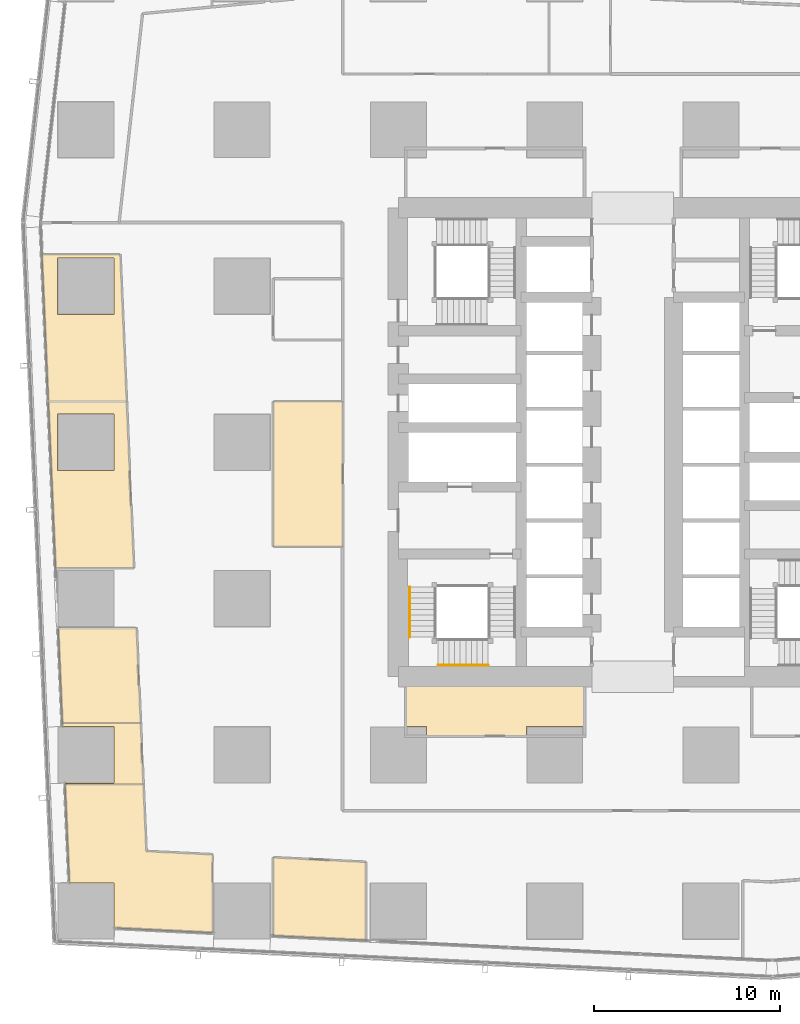
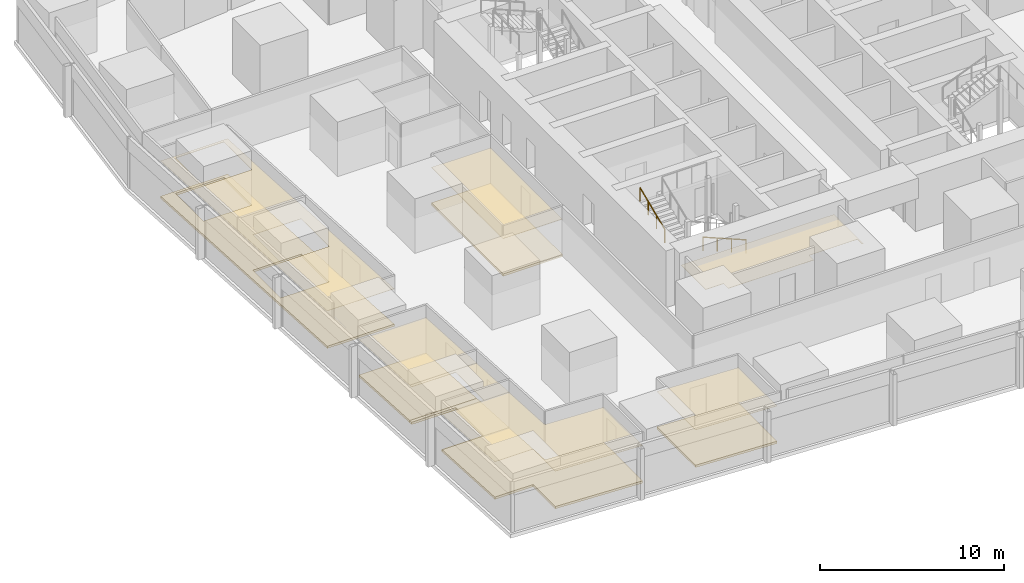
# One storey, part 36 of 44: 13 coverings, 2 railings.
"""IFC4 building model written with IfcOpenShell, lengths in metres."""

import ifcopenshell
import ifcopenshell.guid

model = None  # the IFC model being written
_history = None  # IfcOwnerHistory: only IFC2X3 demands one
_inside = {}  # id of a spatial element -> (the spatial element, [elements in it])
_under = {}  # id of a project, library or spatial element -> (it, [spatial elements below it])
_declared = {}  # id of a project -> (the project, [libraries it declares])
_typed = {}  # id of a type object -> (the type object, [elements of that type])
_made_of = {}  # id of a material, layer set ... -> (it, [elements and type objects made of it])


def new_model(schema):
    """Start an empty IFC model of exactly this schema.

    Asked for "IFC4X3", IfcOpenShell would pick the latest addendum, in which some entities
    have other attributes; the version numbers below select the first issue.
    IFC2X3 requires an IfcOwnerHistory on every rooted entity: one is made here for all.
    """
    global model, _history
    if schema == "IFC4X3":
        model = ifcopenshell.file(schema_version=(4, 3, 0, 0))
    else:
        model = ifcopenshell.file(schema=schema)
    _inside.clear()
    _under.clear()
    _declared.clear()
    _typed.clear()
    _made_of.clear()
    _history = None
    if model.schema == "IFC2X3":
        org = make("IfcOrganization", Name="unknown")
        user = make(
            "IfcPersonAndOrganization",
            ThePerson=make("IfcPerson", FamilyName="unknown"),
            TheOrganization=org,
        )
        app = make(
            "IfcApplication",
            ApplicationDeveloper=org,
            Version="unknown",
            ApplicationFullName="unknown",
            ApplicationIdentifier="unknown",
        )
        _history = make(
            "IfcOwnerHistory",
            OwningUser=user,
            OwningApplication=app,
            ChangeAction="ADDED",
            CreationDate=0,
        )
    return model


def make(cls, **values):
    """One entity of the class cls with the attributes given. An attribute that is None is left unset."""
    return model.create_entity(
        cls, **{name: value for name, value in values.items() if value is not None}
    )


def rooted(cls, **values):
    """An entity with a GlobalId (a new one), such as an element, a storey or a relation."""
    return make(cls, GlobalId=ifcopenshell.guid.new(), OwnerHistory=_history, **values)


def si_unit(unit_type, name, prefix=None):
    """IfcSIUnit, for example si_unit("LENGTHUNIT", "METRE", prefix="MILLI")."""
    return make("IfcSIUnit", UnitType=unit_type, Prefix=prefix, Name=name)


def assignment(units):
    """IfcUnitAssignment: the units of a project."""
    return None if units is None else make("IfcUnitAssignment", Units=units)


def point(xyz):
    """IfcCartesianPoint."""
    return None if xyz is None else make("IfcCartesianPoint", Coordinates=xyz)


def direction(xyz):
    """IfcDirection."""
    return None if xyz is None else make("IfcDirection", DirectionRatios=xyz)


def frame(location, z_axis=None, x_axis=None):
    """IfcAxis2Placement3D, a coordinate frame: its origin and axes. An axis left out is left unset."""
    return make(
        "IfcAxis2Placement3D",
        Location=point(location),
        Axis=direction(z_axis),
        RefDirection=direction(x_axis),
    )


def frame_2d(location, x_axis=None):
    """IfcAxis2Placement2D, a coordinate frame in the plane: its origin and x axis."""
    return make(
        "IfcAxis2Placement2D", Location=point(location), RefDirection=direction(x_axis)
    )


def origin():
    """The frame at (0, 0, 0) with its axes left unset."""
    return frame((0.0, 0.0, 0.0))


def origin_2d():
    """The frame at (0, 0) in the plane with its x axis left unset."""
    return frame_2d((0.0, 0.0))


def place(relative_to, where):
    """IfcLocalPlacement: puts the frame where relative to a parent placement (None: the world)."""
    return make(
        "IfcLocalPlacement", PlacementRelTo=relative_to, RelativePlacement=where
    )


def context(
    kind, dimensions, precision=None, world=None, true_north=None, identifier=None
):
    """IfcGeometricRepresentationContext, for example the 3D "Model" context."""
    return make(
        "IfcGeometricRepresentationContext",
        ContextIdentifier=identifier,
        ContextType=kind,
        CoordinateSpaceDimension=dimensions,
        Precision=precision,
        WorldCoordinateSystem=world,
        TrueNorth=true_north,
    )


def subcontext(parent, identifier, kind, view, scale=None):
    """IfcGeometricRepresentationSubContext, for example "Body" below "Model"."""
    return make(
        "IfcGeometricRepresentationSubContext",
        ContextIdentifier=identifier,
        ContextType=kind,
        ParentContext=parent,
        TargetScale=scale,
        TargetView=view,
    )


def project(units=None, contexts=None):
    """IfcProject with its units and contexts."""
    return rooted(
        "IfcProject",
        Name="project",
        RepresentationContexts=contexts,
        UnitsInContext=assignment(units),
    )


def spatial(cls, under=None, at=None, **own):
    """A site, building, storey or space (cls), placed at a placement, below another one or the project."""
    s = rooted(cls, ObjectPlacement=at, **own)
    if under is not None:
        _under.setdefault(under.id(), (under, []))[1].append(s)
    return s


def polyline(points):
    """IfcPolyline through the points."""
    return make("IfcPolyline", Points=[point(p) for p in points])


def profile(cls, at=None, kind="AREA", **sizes):
    """A parametric profile (cls). Its sizes go by their IFC names, for example OverallWidth=200.0."""
    return make(cls, ProfileType=kind, Position=at, **sizes)


def circle(**sizes):
    """IfcCircleProfileDef."""
    return profile("IfcCircleProfileDef", **sizes)


def outline(outer, holes=None, kind="AREA"):
    """IfcArbitraryClosedProfileDef: a profile drawn as a closed curve; with holes, ...WithVoids."""
    if holes is None:
        return make("IfcArbitraryClosedProfileDef", ProfileType=kind, OuterCurve=outer)
    return make(
        "IfcArbitraryProfileDefWithVoids",
        ProfileType=kind,
        OuterCurve=outer,
        InnerCurves=holes,
    )


def extrude(swept, where, along, depth):
    """IfcExtrudedAreaSolid: the profile swept, set in the frame where, extruded along a direction by depth."""
    return make(
        "IfcExtrudedAreaSolid",
        SweptArea=swept,
        Position=where,
        ExtrudedDirection=direction(along),
        Depth=depth,
    )


def shape(context_of_items, identifier, shape_type, items):
    """IfcShapeRepresentation: the items that make up one representation, for example the "Body"."""
    return make(
        "IfcShapeRepresentation",
        ContextOfItems=context_of_items,
        RepresentationIdentifier=identifier,
        RepresentationType=shape_type,
        Items=items,
    )


def material(Name=None, Category=None):
    """IfcMaterial."""
    return make("IfcMaterial", Name=Name, Category=Category)


def layer(
    of_material, thickness, ventilated=None, Name=None, Category=None, Priority=None
):
    """IfcMaterialLayer: one layer of a wall or slab, of a material (None: an air gap)."""
    return make(
        "IfcMaterialLayer",
        Material=of_material,
        LayerThickness=thickness,
        IsVentilated=ventilated,
        Name=Name,
        Category=Category,
        Priority=Priority,
    )


def layer_set(layers, Name=None):
    """IfcMaterialLayerSet."""
    return make("IfcMaterialLayerSet", MaterialLayers=layers, LayerSetName=Name)


def made_of(thing, what):
    """Note that an element or type object is made of a material, layer set ...; save() writes the relation."""
    if what is not None:
        _made_of.setdefault(what.id(), (what, []))[1].append(thing)
    return thing


def type_object(cls, material=None, **own):
    """A type object (cls), such as IfcWallType, which elements share."""
    return made_of(rooted(cls, **own), material)


def element(
    cls,
    number,
    at=None,
    inside=None,
    cuts=None,
    type_object=None,
    material=None,
    context=None,
    identifier="Body",
    shape_type=None,
    held_by="IfcProductDefinitionShape",
    body=None,
    shapes=None,
    **own,
):
    """One element of the class cls, such as IfcWall. Its Tag is "e" and its number.

    at: its placement. inside: the storey or other place that contains it. cuts: it is an
    opening in that element (IfcRelVoidsElement). A single representation is given by context,
    identifier, shape_type and body (its items); several are given by shapes. held_by: the class
    of the entity that holds the representations. save() writes the other relations.
    """
    e = rooted(cls, Tag="e%d" % number, ObjectPlacement=at, **own)
    if body is not None:
        shapes = [shape(context, identifier, shape_type, body)]
    if shapes is not None:
        e.Representation = make(held_by, Representations=shapes)
    if inside is not None:
        _inside.setdefault(inside.id(), (inside, []))[1].append(e)
    if cuts is not None:
        rooted(
            "IfcRelVoidsElement", RelatingBuildingElement=cuts, RelatedOpeningElement=e
        )
    if type_object is not None:
        _typed.setdefault(type_object.id(), (type_object, []))[1].append(e)
    return made_of(e, material)


def aggregate(whole, parts):
    """IfcRelAggregates: a whole, such as a stair, and the parts it consists of."""
    return rooted("IfcRelAggregates", RelatingObject=whole, RelatedObjects=parts)


def save(model, path):
    """Write the relations noted so far, then the file.

    IfcRelAggregates (storeys below a building ...), IfcRelContainedInSpatialStructure (elements
    in a storey), IfcRelDefinesByType, IfcRelAssociatesMaterial and IfcRelDeclares: one each for
    every whole, place, type object, material and project.
    """
    for whole, parts in _under.values():
        aggregate(whole, parts)
    for where, things in _inside.values():
        rooted(
            "IfcRelContainedInSpatialStructure",
            RelatedElements=things,
            RelatingStructure=where,
        )
    for kind, things in _typed.values():
        rooted("IfcRelDefinesByType", RelatedObjects=things, RelatingType=kind)
    for what, things in _made_of.values():
        rooted("IfcRelAssociatesMaterial", RelatedObjects=things, RelatingMaterial=what)
    for by, libraries in _declared.values():
        rooted("IfcRelDeclares", RelatingContext=by, RelatedDefinitions=libraries)
    model.write(path)


model = new_model("IFC4")

# Units and contexts
model_context = context("Model", 3, precision=1e-05, world=origin(), true_north=direction((0.0, 1.0)))
body_context = subcontext(model_context, "Body", "Model", "MODEL_VIEW")
ifc_project = project(units=[si_unit("LENGTHUNIT", "METRE"), si_unit("AREAUNIT", "SQUARE_METRE"), si_unit("VOLUMEUNIT", "CUBIC_METRE"), si_unit("PLANEANGLEUNIT", "RADIAN"), si_unit("MASSUNIT", "GRAM", prefix="KILO")], contexts=[model_context])

# Site, building, storey
site_placement = place(None, origin())
site = spatial("IfcSite", under=ifc_project, at=site_placement, CompositionType="ELEMENT")
building_placement = place(site_placement, origin())
building = spatial("IfcBuilding", under=site, at=building_placement, Name="Rekha Terrace Tower", CompositionType="ELEMENT")
storey_placement = place(building_placement, frame((0.0, 0.0, 81.64990234375)))
storey = spatial("IfcBuildingStorey", under=building, at=storey_placement, Name="L20", CompositionType="ELEMENT", Elevation=81.64990234375)

# Coverings
ifc_material_1 = material(Name="Mineral fibre tile in exposed grid", Category="finish")
ifc_layer_1 = layer(ifc_material_1, 0.02001953125)
ifc_layer_set_1 = layer_set([ifc_layer_1], Name="Mineral fibre tile in exposed grid")
covering_type_1 = type_object("IfcCoveringType", Name="CL1 600x1200 office grid ceiling", PredefinedType="CEILING", material=ifc_layer_set_1)
covering_1_placement = place(storey_placement, frame((0.0, 0.0, 2.47998046875)))
element("IfcCovering", 1, at=covering_1_placement, inside=storey, type_object=covering_type_1, Name="Ceiling L20-15", PredefinedType="CEILING", context=body_context, shape_type="SweptSolid", body=[
    extrude(outline(polyline([(10.97998046875, 26.84912109375), (10.589111328125, 35.801025390625), (10.243896484375, 43.694091796875), (6.0400390625, 43.694091796875), (6.385009765625, 35.799072265625), (6.77587890625, 26.84912109375), (10.97998046875, 26.84912109375)]), holes=[polyline([(9.9150390625, 32.0849609375), (6.885009765625, 32.0849609375), (6.885009765625, 35.114990234375), (9.9150390625, 35.114990234375), (9.9150390625, 32.0849609375)]), polyline([(9.9150390625, 40.485107421875), (6.885009765625, 40.485107421875), (6.885009765625, 43.514892578125), (9.9150390625, 43.514892578125), (9.9150390625, 40.485107421875)])]), origin(), (0.0, 0.0, 1.0), 0.02001953125),
])
covering_2_placement = place(storey_placement, frame((0.0, 0.0, 2.47998046875)))
element("IfcCovering", 2, at=covering_2_placement, inside=storey, type_object=covering_type_1, Name="Ceiling L20-16", PredefinedType="CEILING", context=body_context, shape_type="SweptSolid", body=[
    extrude(outline(polyline([(7.139892578125, 18.51611328125), (11.343994140625, 18.51611328125), (11.1201171875, 23.64306640625), (6.916015625, 23.64306640625), (7.139892578125, 18.51611328125)])), origin(), (0.0, 0.0, 1.0), 0.02001953125),
])
covering_3_placement = place(storey_placement, frame((0.0, 0.0, 2.47998046875)))
element("IfcCovering", 3, at=covering_3_placement, inside=storey, type_object=covering_type_1, Name="Ceiling L20-17", PredefinedType="CEILING", context=body_context, shape_type="SweptSolid", body=[
    extrude(outline(polyline([(7.282958984375, 15.243896484375), (11.487060546875, 15.243896484375), (11.343994140625, 18.514892578125), (7.139892578125, 18.514892578125), (7.14892578125, 18.31494140625), (9.9150390625, 18.31494140625), (9.9150390625, 15.284912109375), (7.281005859375, 15.284912109375), (7.282958984375, 15.243896484375)])), origin(), (0.0, 0.0, 1.0), 0.02001953125),
])
covering_4_placement = place(storey_placement, frame((0.0, 0.0, 2.47998046875)))
element("IfcCovering", 4, at=covering_4_placement, inside=storey, type_object=covering_type_1, Name="Ceiling L20-18", PredefinedType="CEILING", context=body_context, shape_type="SweptSolid", body=[
    extrude(outline(polyline([(11.64599609375, 11.617919921875), (11.487060546875, 15.242919921875), (7.282958984375, 15.242919921875), (7.51611328125, 9.9150390625), (9.9150390625, 9.9150390625), (9.9150390625, 7.498046875), (15.241943359375, 7.237060546875), (15.241943359375, 11.44189453125), (11.64599609375, 11.617919921875)])), origin(), (0.0, 0.0, 1.0), 0.02001953125),
])
covering_5_placement = place(storey_placement, frame((0.0, 0.0, 2.47998046875)))
element("IfcCovering", 5, at=covering_5_placement, inside=storey, type_object=covering_type_1, Name="Ceiling L20-19", PredefinedType="CEILING", context=body_context, shape_type="SweptSolid", body=[
    extrude(outline(polyline([(23.451904296875, 6.8330078125), (23.451904296875, 11.0380859375), (18.47509765625, 11.282958984375), (18.47509765625, 7.077880859375), (23.451904296875, 6.8330078125)])), origin(), (0.0, 0.0, 1.0), 0.02001953125),
])
covering_6_placement = place(storey_placement, frame((0.0, 0.0, 2.47998046875)))
element("IfcCovering", 6, at=covering_6_placement, inside=storey, type_object=covering_type_1, Name="Ceiling L20-20", PredefinedType="CEILING", context=body_context, shape_type="SweptSolid", body=[
    extrude(outline(polyline([(22.199951171875, 35.800048828125), (18.47509765625, 35.800048828125), (18.47509765625, 28.0), (22.199951171875, 28.0), (22.199951171875, 35.800048828125)])), origin(), (0.0, 0.0, 1.0), 0.02001953125),
])
ifc_material_2 = material(Name="Fibre cement board", Category="finish")
ifc_layer_2 = layer(ifc_material_2, 0.014892578125)
ifc_layer_set_2 = layer_set([ifc_layer_2], Name="Fibre cement board")
covering_type_2 = type_object("IfcCoveringType", Name="CL2 moisture-resistant board ceiling", PredefinedType="CEILING", material=ifc_layer_set_2)
covering_7_placement = place(storey_placement, frame((0.0, 0.0, 2.485107421875)))
element("IfcCovering", 7, at=covering_7_placement, inside=storey, type_object=covering_type_2, Name="Ceiling L20-WCM", PredefinedType="CEILING", context=body_context, shape_type="SweptSolid", body=[
    extrude(outline(polyline([(35.199951171875, 21.0), (25.60009765625, 21.0), (25.60009765625, 18.31494140625), (26.715087890625, 18.31494140625), (26.715087890625, 17.800048828125), (32.0849609375, 17.800048828125), (32.0849609375, 18.31494140625), (35.114990234375, 18.31494140625), (35.114990234375, 17.800048828125), (35.199951171875, 17.800048828125), (35.199951171875, 21.0)])), origin(), (0.0, 0.0, 1.0), 0.014892578125),
])

# Railings
ifc_material_3 = material(Name="Stainless steel tube", Category="steel")
railing_type = type_object("IfcRailingType", Name="HR1 900 stair handrail", PredefinedType="HANDRAIL", material=ifc_material_3)
railing_1_placement = place(storey_placement, frame((30.02490234375, 21.610107421875, 1.375)))
element("IfcRailing", 8, at=railing_1_placement, inside=storey, type_object=railing_type, Name="Handrail ST1 L20 flight 2", PredefinedType="HANDRAIL", context=body_context, shape_type="SweptSolid", body=[
    extrude(circle(Radius=0.02392578125, at=origin_2d()), frame((0.0, 0.0, 0.8759765625), z_axis=(-0.923074453586, 0.0, 0.384621311341), x_axis=(0.0, -1.0, 0.0)), (0.0, 0.0, 1.0), 2.925048828125),
    extrude(circle(Radius=0.02099609375, at=origin_2d()), origin(), (0.0, 0.0, 1.0), 0.851806640625),
    extrude(circle(Radius=0.02099609375, at=origin_2d()), frame((-0.89990234375, 0.0, 0.375)), (0.0, 0.0, 1.0), 0.851806640625),
    extrude(circle(Radius=0.02099609375, at=origin_2d()), frame((-1.800048828125, 0.0, 0.75)), (0.0, 0.0, 1.0), 0.851806640625),
    extrude(circle(Radius=0.02099609375, at=origin_2d()), frame((-2.699951171875, 0.0, 1.125)), (0.0, 0.0, 1.0), 0.851806640625),
])
railing_2_placement = place(storey_placement, frame((25.81005859375, 23.125, 2.625)))
element("IfcRailing", 9, at=railing_2_placement, inside=storey, type_object=railing_type, Name="Handrail ST1 L20 flight 3", PredefinedType="HANDRAIL", context=body_context, shape_type="SweptSolid", body=[
    extrude(circle(Radius=0.02392578125, at=origin_2d()), frame((0.0, 0.0, 0.8759765625), z_axis=(0.0, 0.923074453586, 0.384621311341), x_axis=(-1.0, 0.0, 0.0)), (0.0, 0.0, 1.0), 2.925048828125),
    extrude(circle(Radius=0.02099609375, at=origin_2d()), origin(), (0.0, 0.0, 1.0), 0.851806640625),
    extrude(circle(Radius=0.02099609375, at=origin_2d()), frame((0.0, 0.89990234375, 0.375)), (0.0, 0.0, 1.0), 0.851806640625),
    extrude(circle(Radius=0.02099609375, at=origin_2d()), frame((0.0, 1.800048828125, 0.75)), (0.0, 0.0, 1.0), 0.851806640625),
    extrude(circle(Radius=0.02099609375, at=origin_2d()), frame((0.0, 2.699951171875, 1.125)), (0.0, 0.0, 1.0), 0.851806640625),
])

# Coverings
ifc_material_4 = material(Name="Calcium sulphate panels on steel pedestals", Category="steel")
ifc_layer_3 = layer(ifc_material_4, 0.14990234375)
ifc_layer_set_3 = layer_set([ifc_layer_3], Name="Calcium sulphate panels on steel pedestals")
covering_type_3 = type_object("IfcCoveringType", Name="RF1 150 raised access floor", PredefinedType="FLOORING", material=ifc_layer_set_3)
covering_8_placement = place(storey_placement, origin())
element("IfcCovering", 10, at=covering_8_placement, inside=storey, type_object=covering_type_3, Name="Raised floor L20-15", PredefinedType="FLOORING", context=body_context, shape_type="SweptSolid", body=[
    extrude(outline(polyline([(10.97998046875, 26.84912109375), (10.589111328125, 35.801025390625), (10.243896484375, 43.694091796875), (6.0400390625, 43.694091796875), (6.385009765625, 35.799072265625), (6.77587890625, 26.84912109375), (10.97998046875, 26.84912109375)]), holes=[polyline([(9.9150390625, 32.0849609375), (6.885009765625, 32.0849609375), (6.885009765625, 35.114990234375), (9.9150390625, 35.114990234375), (9.9150390625, 32.0849609375)]), polyline([(9.9150390625, 40.485107421875), (6.885009765625, 40.485107421875), (6.885009765625, 43.514892578125), (9.9150390625, 43.514892578125), (9.9150390625, 40.485107421875)])]), origin(), (0.0, 0.0, 1.0), 0.150146484375),
])
covering_9_placement = place(storey_placement, origin())
element("IfcCovering", 11, at=covering_9_placement, inside=storey, type_object=covering_type_3, Name="Raised floor L20-16", PredefinedType="FLOORING", context=body_context, shape_type="SweptSolid", body=[
    extrude(outline(polyline([(7.139892578125, 18.51611328125), (11.343994140625, 18.51611328125), (11.1201171875, 23.64306640625), (6.916015625, 23.64306640625), (7.139892578125, 18.51611328125)])), origin(), (0.0, 0.0, 1.0), 0.150146484375),
])
covering_10_placement = place(storey_placement, origin())
element("IfcCovering", 12, at=covering_10_placement, inside=storey, type_object=covering_type_3, Name="Raised floor L20-17", PredefinedType="FLOORING", context=body_context, shape_type="SweptSolid", body=[
    extrude(outline(polyline([(7.282958984375, 15.243896484375), (11.487060546875, 15.243896484375), (11.343994140625, 18.514892578125), (7.139892578125, 18.514892578125), (7.14892578125, 18.31494140625), (9.9150390625, 18.31494140625), (9.9150390625, 15.284912109375), (7.281005859375, 15.284912109375), (7.282958984375, 15.243896484375)])), origin(), (0.0, 0.0, 1.0), 0.150146484375),
])
covering_11_placement = place(storey_placement, origin())
element("IfcCovering", 13, at=covering_11_placement, inside=storey, type_object=covering_type_3, Name="Raised floor L20-18", PredefinedType="FLOORING", context=body_context, shape_type="SweptSolid", body=[
    extrude(outline(polyline([(11.64599609375, 11.617919921875), (11.487060546875, 15.242919921875), (7.282958984375, 15.242919921875), (7.51611328125, 9.9150390625), (9.9150390625, 9.9150390625), (9.9150390625, 7.498046875), (15.241943359375, 7.237060546875), (15.241943359375, 11.44189453125), (11.64599609375, 11.617919921875)])), origin(), (0.0, 0.0, 1.0), 0.150146484375),
])
covering_12_placement = place(storey_placement, origin())
element("IfcCovering", 14, at=covering_12_placement, inside=storey, type_object=covering_type_3, Name="Raised floor L20-19", PredefinedType="FLOORING", context=body_context, shape_type="SweptSolid", body=[
    extrude(outline(polyline([(23.451904296875, 6.8330078125), (23.451904296875, 11.0380859375), (18.47509765625, 11.282958984375), (18.47509765625, 7.077880859375), (23.451904296875, 6.8330078125)])), origin(), (0.0, 0.0, 1.0), 0.150146484375),
])
covering_13_placement = place(storey_placement, origin())
element("IfcCovering", 15, at=covering_13_placement, inside=storey, type_object=covering_type_3, Name="Raised floor L20-20", PredefinedType="FLOORING", context=body_context, shape_type="SweptSolid", body=[
    extrude(outline(polyline([(22.199951171875, 35.800048828125), (18.47509765625, 35.800048828125), (18.47509765625, 28.0), (22.199951171875, 28.0), (22.199951171875, 35.800048828125)])), origin(), (0.0, 0.0, 1.0), 0.150146484375),
])

save(model, "model.ifc")
